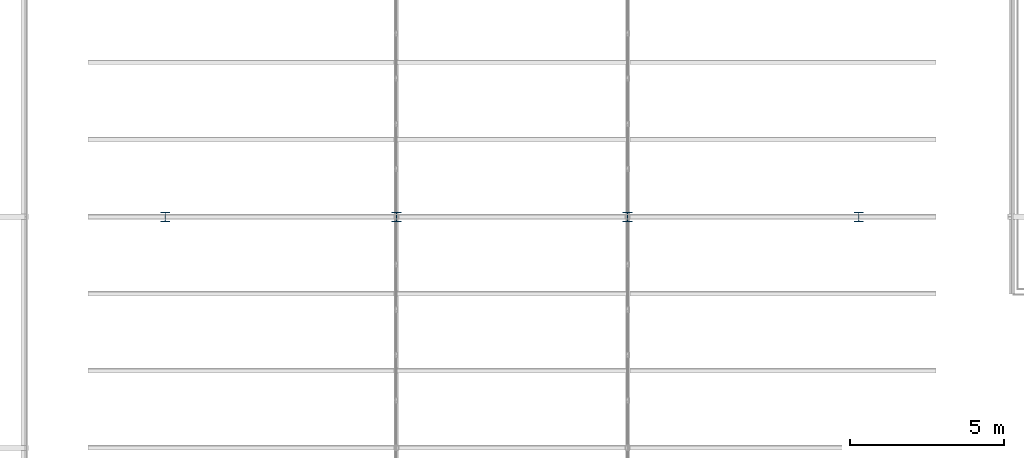
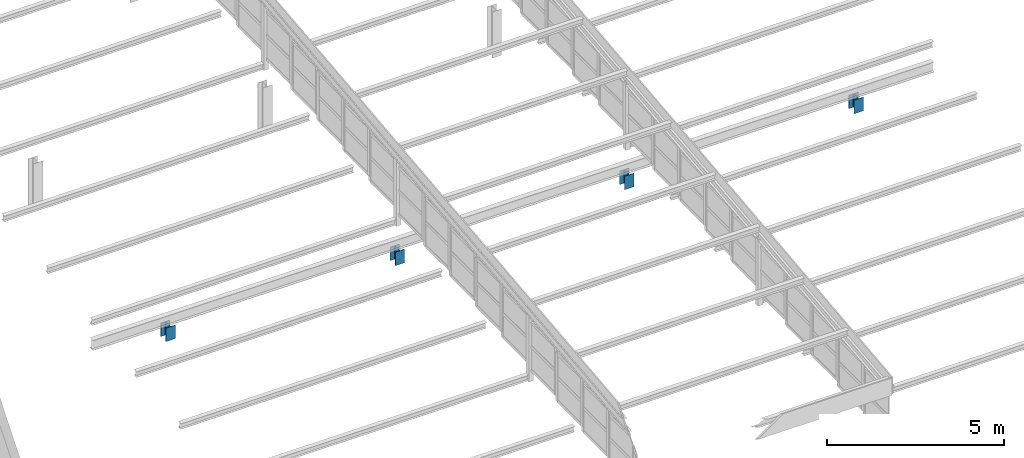
# One storey, part 12 of 483: 4 columns.
"""IFC4 building model written with IfcOpenShell, lengths in metres."""

from ifc_helpers import new_model, si_unit, direction, frame, origin, origin_2d, place, context, subcontext, project, spatial, i_section, extrude, material, material_profile, profile_set, type_object, element, save


model = new_model("IFC4")

# Units and contexts
model_context = context("Model", 3, precision=1e-05, world=origin(), true_north=direction((0.0, 1.0)))
body_context = subcontext(model_context, "Body", "Model", "MODEL_VIEW")
ifc_project = project(units=[si_unit("LENGTHUNIT", "METRE"), si_unit("AREAUNIT", "SQUARE_METRE"), si_unit("VOLUMEUNIT", "CUBIC_METRE"), si_unit("PLANEANGLEUNIT", "RADIAN"), si_unit("MASSUNIT", "GRAM", prefix="KILO")], contexts=[model_context])

# Site, building, storey
site_placement = place(None, origin())
site = spatial("IfcSite", under=ifc_project, at=site_placement, CompositionType="ELEMENT")
building_placement = place(site_placement, origin())
building = spatial("IfcBuilding", under=site, at=building_placement, Name="Parallax Yard Mobility Hub", CompositionType="ELEMENT")
storey_placement = place(building_placement, frame((0.0, 0.0, 13.199951171875)))
storey = spatial("IfcBuildingStorey", under=building, at=storey_placement, Name="L04", CompositionType="ELEMENT", Elevation=13.199951171875)

# Columns
ifc_material = material(Name="Steel ASTM A992", Category="steel")
ifc_material_profile = material_profile(ifc_material, i_section(OverallWidth=0.304931640625, OverallDepth=0.306884765625, WebThickness=0.010009765625, FlangeThickness=0.015380859375, FilletRadius=0.01513671875, at=origin_2d()), Name="W310x97")
ifc_profile_set = profile_set([ifc_material_profile], Name="Steel ASTM A992")
column_type = type_object("IfcColumnType", Name="W310x97 column", PredefinedType="COLUMN", material=ifc_profile_set)
for number, where, z_axis, x_axis, name in (
    (1, (150.0, 22.5, 0.0), (0.0, 0.0, 1.0), (1.0, 0.0, 0.0), "Roof column D/21 level L04"),
    (2, (157.5, 22.5, 0.0), (0.0, 0.0, 1.0), (1.0, 0.0, 0.0), "Roof column D/22 level L04"),
    (3, (165.0, 22.5, 0.0), (0.0, 0.0, 1.0), (1.0, 0.0, 0.0), "Roof column D/23 level L04"),
    (4, (172.5, 22.5, 0.0), (0.0, 0.0, 1.0), (1.0, 0.0, 0.0), "Roof column D/24 level L04"),
):
    element("IfcColumn", number, at=place(storey_placement, frame(where, z_axis=z_axis, x_axis=x_axis)), inside=storey, type_object=column_type, Name=name, PredefinedType="COLUMN", context=body_context, shape_type="SweptSolid", body=[
        extrude(i_section(OverallWidth=0.304931640625, OverallDepth=0.306884765625, WebThickness=0.010009765625, FlangeThickness=0.015380859375, FilletRadius=0.01513671875, at=origin_2d()), origin(), (0.0, 0.0, 1.0), 0.466796875),
    ])

save(model, "model.ifc")
